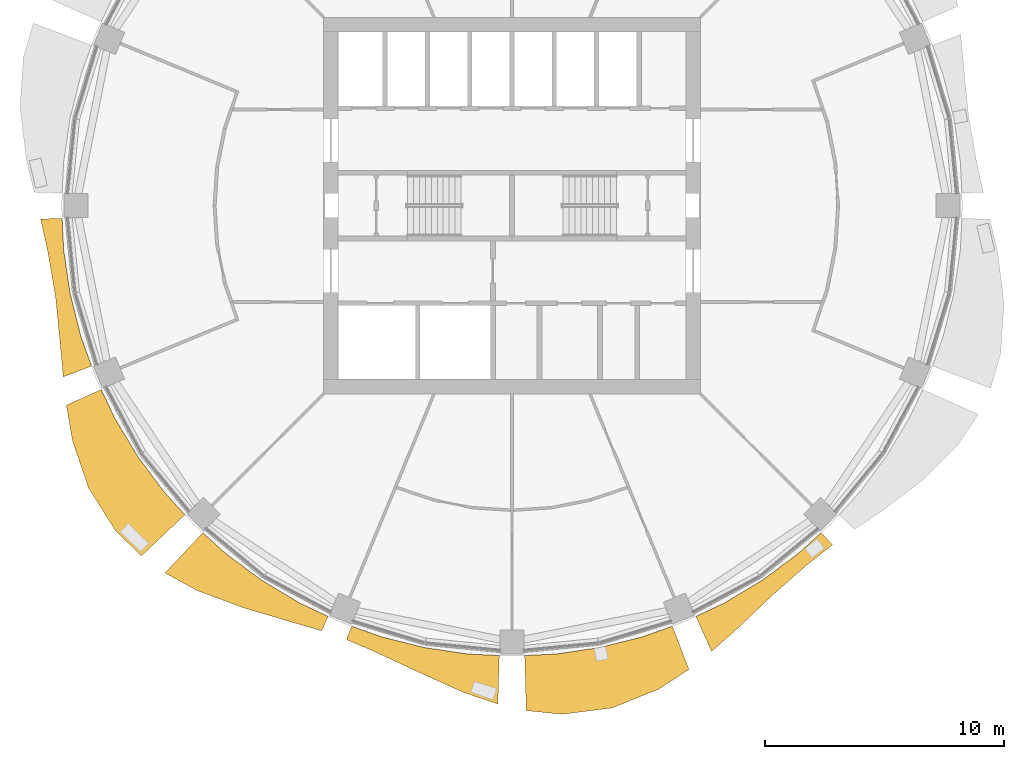
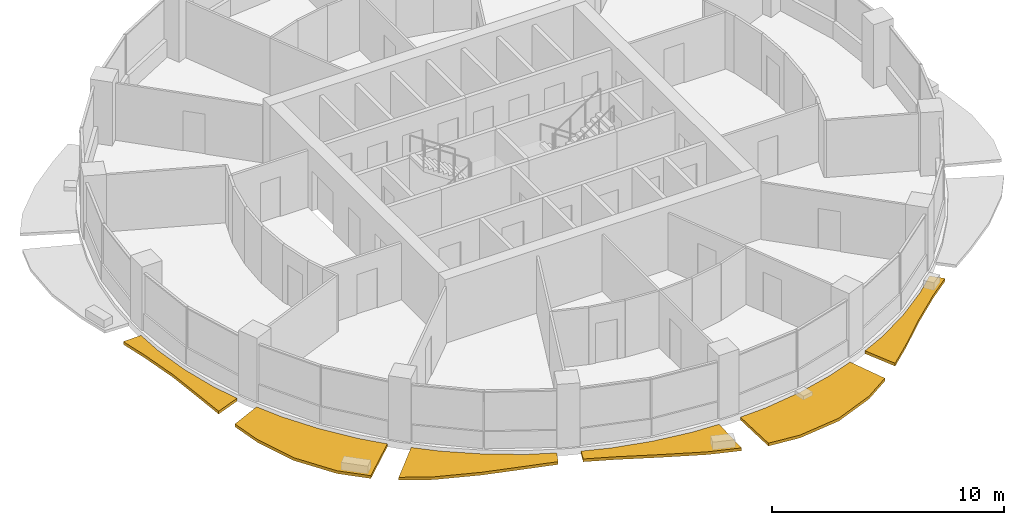
# One storey, part 12 of 15: 6 shading devices.
"""IFC4 building model written with IfcOpenShell, lengths in metres."""

from ifc_helpers import new_model, si_unit, direction, frame, origin, place, context, subcontext, project, spatial, polyline, outline, extrude, material, type_object, element, save


model = new_model("IFC4")

# Units and contexts
model_context = context("Model", 3, precision=1e-05, world=origin(), true_north=direction((0.0, 1.0)))
body_context = subcontext(model_context, "Body", "Model", "MODEL_VIEW")
ifc_project = project(units=[si_unit("LENGTHUNIT", "METRE"), si_unit("AREAUNIT", "SQUARE_METRE"), si_unit("VOLUMEUNIT", "CUBIC_METRE"), si_unit("PLANEANGLEUNIT", "RADIAN"), si_unit("MASSUNIT", "GRAM", prefix="KILO")], contexts=[model_context])

# Site, building, storey
site_placement = place(None, origin())
site = spatial("IfcSite", under=ifc_project, at=site_placement, CompositionType="ELEMENT")
building_placement = place(site_placement, origin())
building = spatial("IfcBuilding", under=site, at=building_placement, Name="Polderwave Tower", CompositionType="ELEMENT")
storey_placement = place(building_placement, frame((0.0, 0.0, 151.10009765625)))
storey = spatial("IfcBuildingStorey", under=building, at=storey_placement, Name="L40", CompositionType="ELEMENT", Elevation=151.10009765625)

# Shading devices
ifc_material = material(Name="Terracotta", Category="masonry")
shading_device_type = type_object("IfcShadingDeviceType", Name="Terracotta sunshade band", PredefinedType="USERDEFINED", material=ifc_material)
shading_device_1_placement = place(storey_placement, frame((0.0, 0.0, -0.35009765625)))
element("IfcShadingDevice", 1, at=shading_device_1_placement, inside=storey, type_object=shading_device_type, Name="Sunshade band L40 9", ObjectType="SUNSHADE", PredefinedType="USERDEFINED", context=body_context, shape_type="SweptSolid", body=[
    extrude(outline(polyline([(-18.803955078125, -0.5302734375), (-18.7392578125, -1.845703125), (-18.46826171875, -3.673583984375), (-18.019287109375, -5.466064453125), (-17.575439453125, -6.7060546875), (-18.755859375, -7.156494140625), (-18.888916015625, -5.729736328125), (-19.080078125, -3.795166015625), (-19.404052734375, -1.9111328125), (-19.7001953125, -0.5556640625), (-18.803955078125, -0.5302734375)])), origin(), (0.0, 0.0, 1.0), 0.14990234375),
])
shading_device_2_placement = place(storey_placement, frame((0.0, 0.0, -0.35009765625)))
element("IfcShadingDevice", 2, at=shading_device_2_placement, inside=storey, type_object=shading_device_type, Name="Sunshade band L40 10", ObjectType="SUNSHADE", PredefinedType="USERDEFINED", context=body_context, shape_type="SweptSolid", body=[
    extrude(outline(polyline([(-17.169677734375, -7.685791015625), (-16.606689453125, -8.87646484375), (-15.656494140625, -10.46142578125), (-14.555908203125, -11.945556640625), (-13.67138671875, -12.92138671875), (-15.4912109375, -14.641357421875), (-16.5654296875, -13.594970703125), (-17.688232421875, -11.819091796875), (-18.373046875, -9.820556640625), (-18.62548828125, -8.33740234375), (-17.169677734375, -7.685791015625)])), origin(), (0.0, 0.0, 1.0), 0.14990234375),
])
shading_device_3_placement = place(storey_placement, frame((0.0, 0.0, -0.35009765625)))
element("IfcShadingDevice", 3, at=shading_device_3_placement, inside=storey, type_object=shading_device_type, Name="Sunshade band L40 11", ObjectType="SUNSHADE", PredefinedType="USERDEFINED", context=body_context, shape_type="SweptSolid", body=[
    extrude(outline(polyline([(-12.92138671875, -13.67138671875), (-11.945556640625, -14.555908203125), (-10.46142578125, -15.656494140625), (-8.87646484375, -16.606689453125), (-7.685791015625, -17.169677734375), (-7.954833984375, -17.7705078125), (-9.2900390625, -17.38037109375), (-11.22998046875, -16.806640625), (-13.1904296875, -16.072509765625), (-14.508544921875, -15.3505859375), (-12.92138671875, -13.67138671875)])), origin(), (0.0, 0.0, 1.0), 0.14990234375),
])
shading_device_4_placement = place(storey_placement, frame((0.0, 0.0, -0.35009765625)))
element("IfcShadingDevice", 4, at=shading_device_4_placement, inside=storey, type_object=shading_device_type, Name="Sunshade band L40 12", ObjectType="SUNSHADE", PredefinedType="USERDEFINED", context=body_context, shape_type="SweptSolid", body=[
    extrude(outline(polyline([(-6.7060546875, -17.575439453125), (-5.466064453125, -18.019287109375), (-3.673583984375, -18.46826171875), (-1.845703125, -18.7392578125), (-0.5302734375, -18.803955078125), (-0.58740234375, -20.830810546875), (-2.004638671875, -20.353515625), (-3.880859375, -19.5107421875), (-5.664794921875, -18.674560546875), (-6.919921875, -18.135986328125), (-6.7060546875, -17.575439453125)])), origin(), (0.0, 0.0, 1.0), 0.14990234375),
])
shading_device_5_placement = place(storey_placement, frame((0.0, 0.0, -0.35009765625)))
element("IfcShadingDevice", 5, at=shading_device_5_placement, inside=storey, type_object=shading_device_type, Name="Sunshade band L40 13", ObjectType="SUNSHADE", PredefinedType="USERDEFINED", context=body_context, shape_type="SweptSolid", body=[
    extrude(outline(polyline([(0.5302734375, -18.803955078125), (1.845703125, -18.7392578125), (3.673583984375, -18.46826171875), (5.466064453125, -18.019287109375), (6.7060546875, -17.575439453125), (7.396484375, -19.385009765625), (6.131103515625, -20.2119140625), (4.176025390625, -20.994873046875), (2.093994140625, -21.25927734375), (0.59521484375, -21.106689453125), (0.5302734375, -18.803955078125)])), origin(), (0.0, 0.0, 1.0), 0.14990234375),
])
shading_device_6_placement = place(storey_placement, frame((0.0, 0.0, -0.35009765625)))
element("IfcShadingDevice", 6, at=shading_device_6_placement, inside=storey, type_object=shading_device_type, Name="Sunshade band L40 14", ObjectType="SUNSHADE", PredefinedType="USERDEFINED", context=body_context, shape_type="SweptSolid", body=[
    extrude(outline(polyline([(7.685791015625, -17.169677734375), (8.87646484375, -16.606689453125), (10.46142578125, -15.656494140625), (11.945556640625, -14.555908203125), (12.92138671875, -13.67138671875), (13.399658203125, -14.17724609375), (12.326416015625, -15.019775390625), (10.881591796875, -16.285400390625), (9.440673828125, -17.662109375), (8.341796875, -18.634521484375), (7.685791015625, -17.169677734375)])), origin(), (0.0, 0.0, 1.0), 0.14990234375),
])

save(model, "model.ifc")
